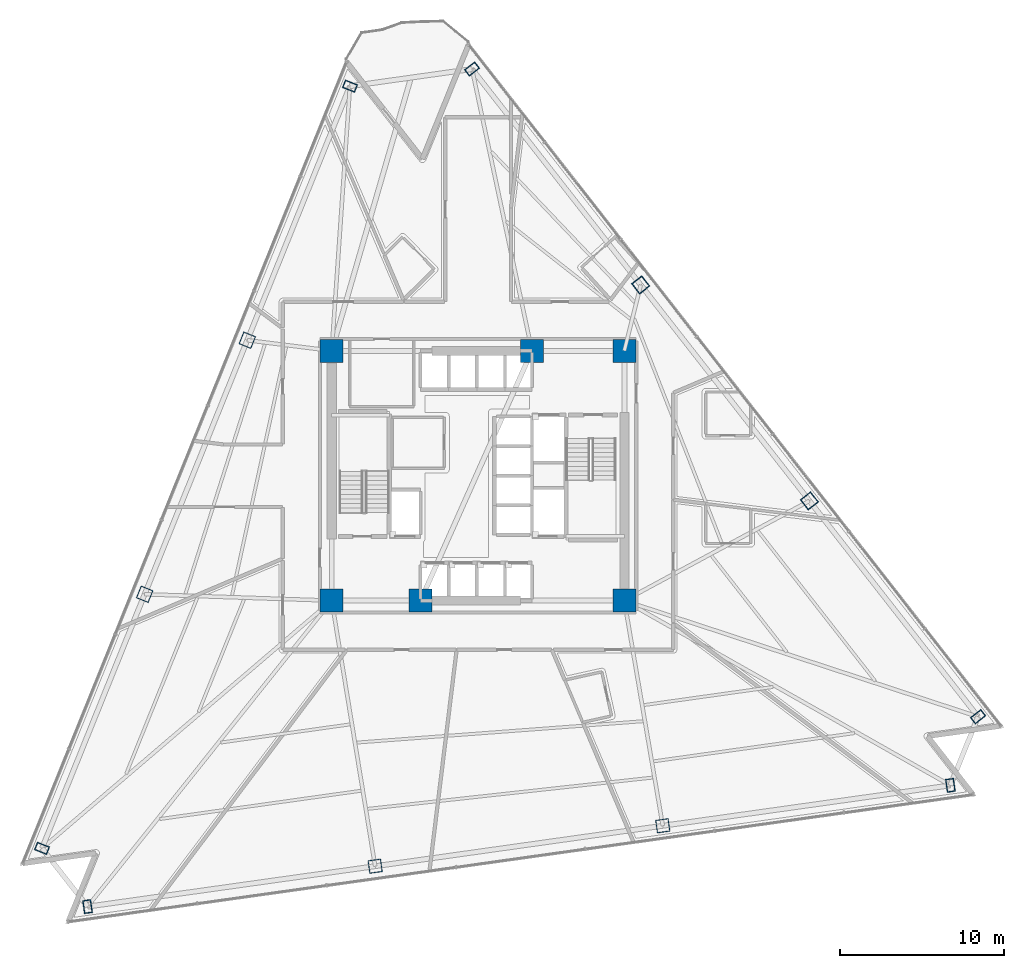
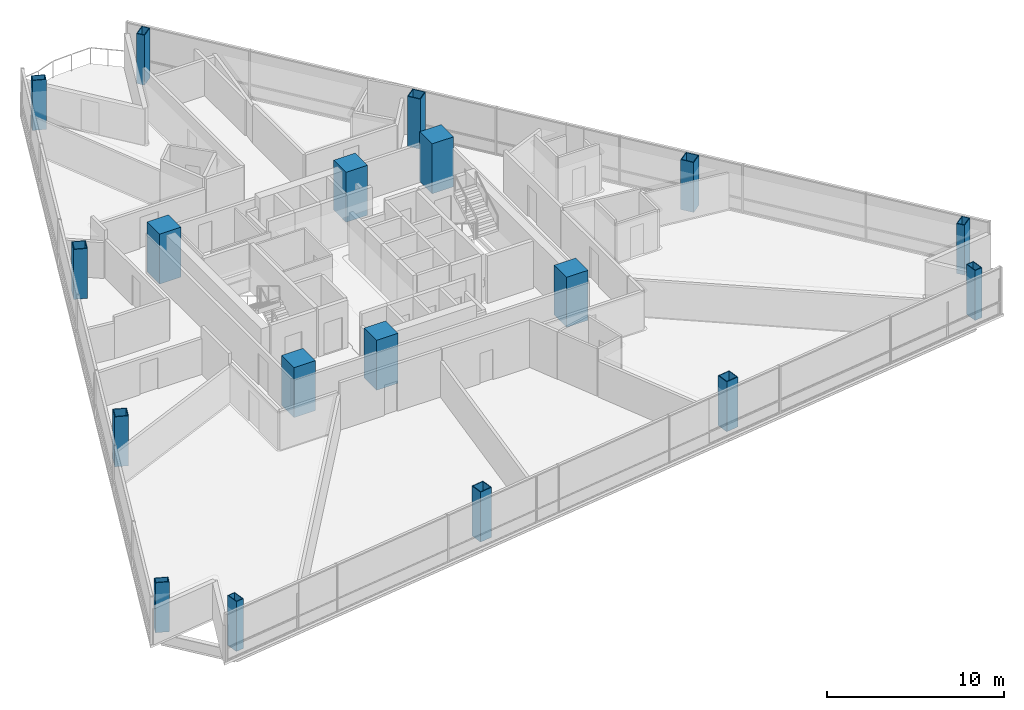
# One storey, part 1 of 15: 18 columns.
"""IFC4 building model written with IfcOpenShell, lengths in metres."""

from ifc_helpers import new_model, si_unit, direction, frame, origin, origin_2d, place, context, subcontext, project, spatial, rectangle, hollow_rectangle, extrude, material, material_profile, profile_set, type_object, element, save


model = new_model("IFC4")

# Units and contexts
model_context = context("Model", 3, precision=1e-05, world=origin(), true_north=direction((0.0, 1.0)))
body_context = subcontext(model_context, "Body", "Model", "MODEL_VIEW")
ifc_project = project(units=[si_unit("LENGTHUNIT", "METRE"), si_unit("AREAUNIT", "SQUARE_METRE"), si_unit("VOLUMEUNIT", "CUBIC_METRE"), si_unit("PLANEANGLEUNIT", "RADIAN"), si_unit("MASSUNIT", "GRAM", prefix="KILO")], contexts=[model_context])

# Site, building, storey
site_placement = place(None, origin())
site = spatial("IfcSite", under=ifc_project, at=site_placement, CompositionType="ELEMENT")
building_placement = place(site_placement, origin())
building = spatial("IfcBuilding", under=site, at=building_placement, Name="Tharavind Bronze Gate", CompositionType="ELEMENT")
storey_placement = place(building_placement, frame((0.0, 0.0, 74.199951171875)))
storey = spatial("IfcBuildingStorey", under=building, at=storey_placement, Name="L18", CompositionType="ELEMENT", Elevation=74.199951171875)

# Columns
ifc_material_1 = material(Name="Steel S460", Category="steel")
ifc_material_profile_1 = material_profile(ifc_material_1, hollow_rectangle(XDim=0.5, YDim=0.800048828125, WallThickness=0.0400390625, at=origin_2d()), Name="RHS800X500X40")
ifc_profile_set_1 = profile_set([ifc_material_profile_1], Name="Steel S460")
column_type_1 = type_object("IfcColumnType", Name="CORNER NOTCH COLUMN RHS800X500", PredefinedType="COLUMN", material=ifc_profile_set_1)
for number, where, z_axis, x_axis, name in (
    (1, (-7.7919921875, 23.69775390625, 0.0), (0.0, 0.0, 1.0), (0.374608211656, 0.927183200754, 0.0), "L18 perimeter column S1C1"),
    (2, (-26.525146484375, -22.66845703125, 0.0), (0.0, 0.0, 1.0), (0.374608211656, 0.927183200754, 0.0), "L18 perimeter column S1C4"),
    (3, (-23.754638671875, -26.21435546875, 0.0), (0.0, 0.0, 1.0), (0.990268068742, 0.13917310096, 0.0), "L18 perimeter column S2C1"),
    (4, (28.737060546875, -18.837158203125, 0.0), (0.0, 0.0, 1.0), (0.990268068742, 0.13917310096, 0.0), "L18 perimeter column S2C4"),
    (5, (30.422607421875, -14.664794921875, 0.0), (0.0, 0.0, 1.0), (-0.615661475326, 0.788010753607, 0.0), "L18 perimeter column S3C1"),
    (6, (-0.364990234375, 24.741455078125, 0.0), (0.0, 0.0, 1.0), (-0.615661475326, 0.788010753607, 0.0), "L18 perimeter column S3C4"),
):
    element("IfcColumn", number, at=place(storey_placement, frame(where, z_axis=z_axis, x_axis=x_axis)), inside=storey, type_object=column_type_1, Name=name, PredefinedType="COLUMN", context=body_context, shape_type="SweptSolid", body=[
        extrude(hollow_rectangle(XDim=0.5, YDim=0.800048828125, WallThickness=0.0400390625, at=origin_2d()), origin(), (0.0, 0.0, 1.0), 3.449951171875),
    ])
ifc_material_2 = material(Name="Concrete C70/85", Category="concrete")
ifc_material_profile_2 = material_profile(ifc_material_2, rectangle(XDim=1.39990234375, YDim=1.39990234375, at=origin_2d()), Name="RCCOL1400")
ifc_profile_set_2 = profile_set([ifc_material_profile_2], Name="Concrete C70/85")
column_type_2 = type_object("IfcColumnType", Name="MEGA CORE COLUMN 1400", PredefinedType="COLUMN", material=ifc_profile_set_2)
for number, where, z_axis, x_axis, name in (
    (7, (-8.89990234375, -7.60009765625, 0.0), (0.0, 0.0, 1.0), (1.0, 0.0, 0.0), "L18 core mega column MC1"),
    (8, (-3.5, -7.60009765625, 0.0), (0.0, 0.0, 1.0), (1.0, 0.0, 0.0), "L18 core mega column MC2"),
    (9, (8.89990234375, -7.60009765625, 0.0), (0.0, 0.0, 1.0), (1.0, 0.0, 0.0), "L18 core mega column MC3"),
    (10, (8.89990234375, 7.60009765625, 0.0), (0.0, 0.0, 1.0), (1.0, 0.0, 0.0), "L18 core mega column MC4"),
    (11, (3.280029296875, 7.60009765625, 0.0), (0.0, 0.0, 1.0), (1.0, 0.0, 0.0), "L18 core mega column MC5"),
    (12, (-8.89990234375, 7.60009765625, 0.0), (0.0, 0.0, 1.0), (1.0, 0.0, 0.0), "L18 core mega column MC6"),
):
    element("IfcColumn", number, at=place(storey_placement, frame(where, z_axis=z_axis, x_axis=x_axis)), inside=storey, type_object=column_type_2, Name=name, PredefinedType="COLUMN", context=body_context, shape_type="SweptSolid", body=[
        extrude(rectangle(XDim=1.39990234375, YDim=1.39990234375, at=origin_2d()), origin(), (0.0, 0.0, 1.0), 3.449951171875),
    ])
ifc_material_profile_3 = material_profile(ifc_material_1, hollow_rectangle(XDim=0.800048828125, YDim=0.800048828125, WallThickness=0.044921875, at=origin_2d()), Name="SHS800X45")
ifc_profile_set_3 = profile_set([ifc_material_profile_3], Name="Steel S460")
column_type_3 = type_object("IfcColumnType", Name="PERIMETER BOX COLUMN SHS800", PredefinedType="COLUMN", material=ifc_profile_set_3)
for number, where, z_axis, x_axis, name in (
    (13, (-14.036376953125, 8.2421875, 0.0), (0.0, 0.0, 1.0), (0.374608211656, 0.927183200754, 0.0), "L18 perimeter column S1C2"),
    (14, (-20.28076171875, -7.212890625, 0.0), (0.0, 0.0, 1.0), (0.374608211656, 0.927183200754, 0.0), "L18 perimeter column S1C3"),
    (15, (-6.25732421875, -23.75537109375, 0.0), (0.0, 0.0, 1.0), (0.990268068742, 0.13917310096, 0.0), "L18 perimeter column S2C2"),
    (16, (11.23974609375, -21.29638671875, 0.0), (0.0, 0.0, 1.0), (0.990268068742, 0.13917310096, 0.0), "L18 perimeter column S2C3"),
    (17, (20.16015625, -1.529296875, 0.0), (0.0, 0.0, 1.0), (-0.615661475326, 0.788010753607, 0.0), "L18 perimeter column S3C2"),
    (18, (9.897705078125, 11.60595703125, 0.0), (0.0, 0.0, 1.0), (-0.615661475326, 0.788010753607, 0.0), "L18 perimeter column S3C3"),
):
    element("IfcColumn", number, at=place(storey_placement, frame(where, z_axis=z_axis, x_axis=x_axis)), inside=storey, type_object=column_type_3, Name=name, PredefinedType="COLUMN", context=body_context, shape_type="SweptSolid", body=[
        extrude(hollow_rectangle(XDim=0.800048828125, YDim=0.800048828125, WallThickness=0.044921875, at=origin_2d()), origin(), (0.0, 0.0, 1.0), 3.449951171875),
    ])

save(model, "model.ifc")
